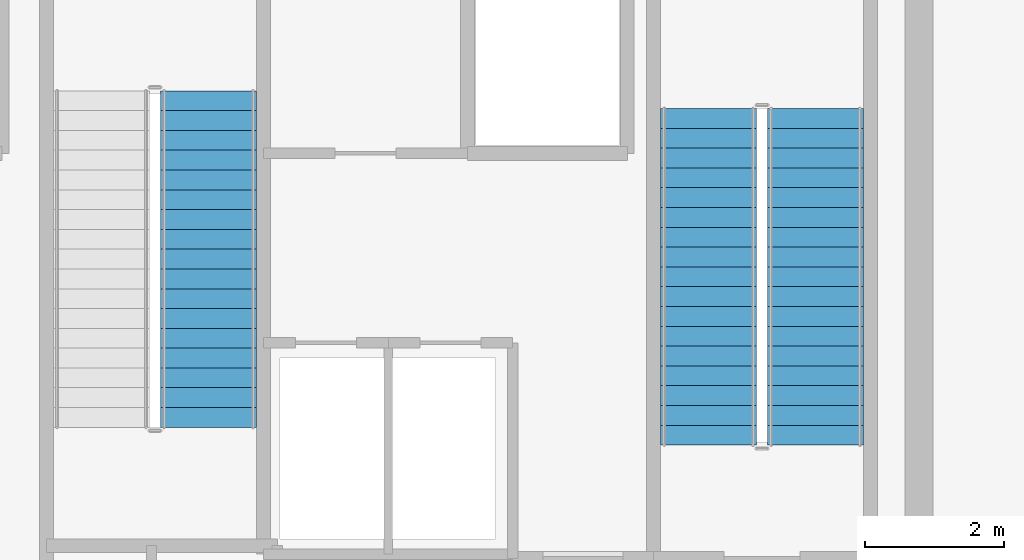
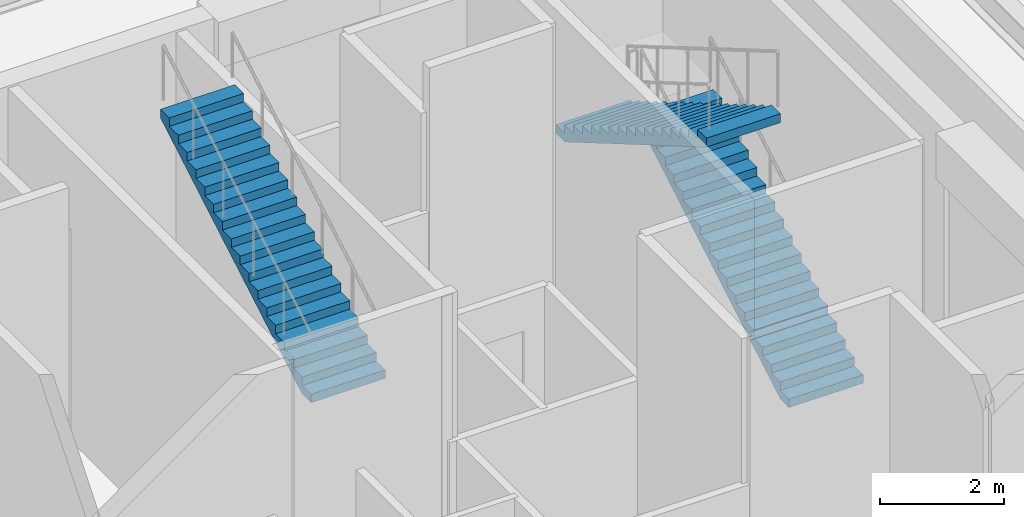
# One storey, part 20 of 21: 3 stair flights, 2 elements without a shape of their own.
"""IFC4 building model written with IfcOpenShell, lengths in metres."""

from ifc_helpers import new_model, si_unit, direction, frame, origin, place, context, subcontext, project, spatial, polyline, outline, extrude, material, type_object, element, aggregate, save


model = new_model("IFC4")

# Units and contexts
model_context = context("Model", 3, precision=1e-05, world=origin(), true_north=direction((0.0, 1.0)))
body_context = subcontext(model_context, "Body", "Model", "MODEL_VIEW")
ifc_project = project(units=[si_unit("LENGTHUNIT", "METRE"), si_unit("AREAUNIT", "SQUARE_METRE"), si_unit("VOLUMEUNIT", "CUBIC_METRE"), si_unit("PLANEANGLEUNIT", "RADIAN"), si_unit("MASSUNIT", "GRAM", prefix="KILO")], contexts=[model_context])

# Site, building, storey
site_placement = place(None, origin())
site = spatial("IfcSite", under=ifc_project, at=site_placement, CompositionType="ELEMENT")
building_placement = place(site_placement, origin())
building = spatial("IfcBuilding", under=site, at=building_placement, Name="Kovane Verandah Tower", CompositionType="ELEMENT")
storey_placement = place(building_placement, frame((0.0, 0.0, 342.800048828125)))
storey = spatial("IfcBuildingStorey", under=building, at=storey_placement, Name="L80", CompositionType="ELEMENT", Elevation=342.800048828125)

# Stair, stair flights
ifc_material = material(Name="Concrete C45/55", Category="concrete")
stair_type = type_object("IfcStairType", Name="ST-CORE-1380", PredefinedType="HALF_TURN_STAIR", material=ifc_material)
stair_1_placement = place(storey_placement, origin())
stair_1 = element("IfcStair", 1, at=stair_1_placement, inside=storey, type_object=stair_type, Name="L80 Exit Stair ST-02", PredefinedType="HALF_TURN_STAIR")
stair_flight_type = type_object("IfcStairFlightType", Name="STF-CORE-1380", PredefinedType="STRAIGHT", material=ifc_material)
stair_flight_1_placement = place(storey_placement, frame((49.510009765625, 29.25, 0.0), z_axis=(0.0, 0.0, 1.0), x_axis=(0.0, 1.0, 0.0)))
stair_flight_1 = element("IfcStairFlight", 2, at=stair_flight_1_placement, type_object=stair_flight_type, Name="ST-02 flight 1", NumberOfRisers=18, NumberOfTreads=17, PredefinedType="STRAIGHT", RiserHeight=0.166666667, TreadLength=0.285, context=body_context, shape_type="SweptSolid", body=[
    extrude(outline(polyline([(0.0, 0.0), (0.0, 0.166748046875), (0.284912109375, 0.166748046875), (0.284912109375, 0.333251953125), (0.570068359375, 0.333251953125), (0.570068359375, 0.5), (0.85498046875, 0.5), (0.85498046875, 0.666748046875), (1.139892578125, 0.666748046875), (1.139892578125, 0.833251953125), (1.425048828125, 0.833251953125), (1.425048828125, 1.0), (1.7099609375, 1.0), (1.7099609375, 1.166748046875), (1.9951171875, 1.166748046875), (1.9951171875, 1.333251953125), (2.280029296875, 1.333251953125), (2.280029296875, 1.5), (2.56494140625, 1.5), (2.56494140625, 1.666748046875), (2.85009765625, 1.666748046875), (2.85009765625, 1.833251953125), (3.135009765625, 1.833251953125), (3.135009765625, 2.0), (3.419921875, 2.0), (3.419921875, 2.166748046875), (3.705078125, 2.166748046875), (3.705078125, 2.333251953125), (3.989990234375, 2.333251953125), (3.989990234375, 2.5), (4.27490234375, 2.5), (4.27490234375, 2.666748046875), (4.56005859375, 2.666748046875), (4.56005859375, 2.833251953125), (4.844970703125, 2.833251953125), (4.844970703125, 3.0), (4.844970703125, 2.65966796875), (0.296875, 0.0), (0.0, 0.0)])), frame((0.0, 0.68994140625, 0.0), z_axis=(0.0, -1.0, 0.0), x_axis=(1.0, 0.0, 0.0)), (0.0, 0.0, 1.0), 1.3798828125),
])
stair_flight_2_placement = place(storey_placement, frame((47.969970703125, 34.094970703125, 3.0), z_axis=(0.0, 0.0, 1.0), x_axis=(0.0, -1.0, 0.0)))
stair_flight_2 = element("IfcStairFlight", 3, at=stair_flight_2_placement, type_object=stair_flight_type, Name="ST-02 flight 2", NumberOfRisers=18, NumberOfTreads=17, PredefinedType="STRAIGHT", RiserHeight=0.166666667, TreadLength=0.285, context=body_context, shape_type="SweptSolid", body=[
    extrude(outline(polyline([(0.0, 0.0), (0.0, 0.166748046875), (0.284912109375, 0.166748046875), (0.284912109375, 0.333251953125), (0.570068359375, 0.333251953125), (0.570068359375, 0.5), (0.85498046875, 0.5), (0.85498046875, 0.666748046875), (1.139892578125, 0.666748046875), (1.139892578125, 0.833251953125), (1.425048828125, 0.833251953125), (1.425048828125, 1.0), (1.7099609375, 1.0), (1.7099609375, 1.166748046875), (1.9951171875, 1.166748046875), (1.9951171875, 1.333251953125), (2.280029296875, 1.333251953125), (2.280029296875, 1.5), (2.56494140625, 1.5), (2.56494140625, 1.666748046875), (2.85009765625, 1.666748046875), (2.85009765625, 1.833251953125), (3.135009765625, 1.833251953125), (3.135009765625, 2.0), (3.419921875, 2.0), (3.419921875, 2.166748046875), (3.705078125, 2.166748046875), (3.705078125, 2.333251953125), (3.989990234375, 2.333251953125), (3.989990234375, 2.5), (4.27490234375, 2.5), (4.27490234375, 2.666748046875), (4.56005859375, 2.666748046875), (4.56005859375, 2.833251953125), (4.844970703125, 2.833251953125), (4.844970703125, 3.0), (4.844970703125, 2.65966796875), (0.296875, 0.0), (0.0, 0.0)])), frame((0.0, 0.68994140625, 0.0), z_axis=(0.0, -1.0, 0.0), x_axis=(1.0, 0.0, 0.0)), (0.0, 0.0, 1.0), 1.3798828125),
])
aggregate(stair_1, [stair_flight_1, stair_flight_2])

# Stair, stair flight
stair_2_placement = place(storey_placement, origin())
stair_2 = element("IfcStair", 4, at=stair_2_placement, inside=storey, type_object=stair_type, Name="L80 Exit Stair ST-03", PredefinedType="HALF_TURN_STAIR")
stair_flight_3_placement = place(storey_placement, frame((40.77001953125, 29.5048828125, 3.0), z_axis=(0.0, 0.0, 1.0), x_axis=(0.0, 1.0, 0.0)))
stair_flight_3 = element("IfcStairFlight", 5, at=stair_flight_3_placement, type_object=stair_flight_type, Name="ST-03 flight 2", NumberOfRisers=18, NumberOfTreads=17, PredefinedType="STRAIGHT", RiserHeight=0.166666667, TreadLength=0.285, context=body_context, shape_type="SweptSolid", body=[
    extrude(outline(polyline([(0.0, 0.0), (0.0, 0.166748046875), (0.284912109375, 0.166748046875), (0.284912109375, 0.333251953125), (0.570068359375, 0.333251953125), (0.570068359375, 0.5), (0.85498046875, 0.5), (0.85498046875, 0.666748046875), (1.139892578125, 0.666748046875), (1.139892578125, 0.833251953125), (1.425048828125, 0.833251953125), (1.425048828125, 1.0), (1.7099609375, 1.0), (1.7099609375, 1.166748046875), (1.9951171875, 1.166748046875), (1.9951171875, 1.333251953125), (2.280029296875, 1.333251953125), (2.280029296875, 1.5), (2.56494140625, 1.5), (2.56494140625, 1.666748046875), (2.85009765625, 1.666748046875), (2.85009765625, 1.833251953125), (3.135009765625, 1.833251953125), (3.135009765625, 2.0), (3.419921875, 2.0), (3.419921875, 2.166748046875), (3.705078125, 2.166748046875), (3.705078125, 2.333251953125), (3.989990234375, 2.333251953125), (3.989990234375, 2.5), (4.27490234375, 2.5), (4.27490234375, 2.666748046875), (4.56005859375, 2.666748046875), (4.56005859375, 2.833251953125), (4.844970703125, 2.833251953125), (4.844970703125, 3.0), (4.844970703125, 2.65966796875), (0.296875, 0.0), (0.0, 0.0)])), frame((0.0, 0.68994140625, 0.0), z_axis=(0.0, -1.0, 0.0), x_axis=(1.0, 0.0, 0.0)), (0.0, 0.0, 1.0), 1.3798828125),
])
aggregate(stair_2, [stair_flight_3])

save(model, "model.ifc")
